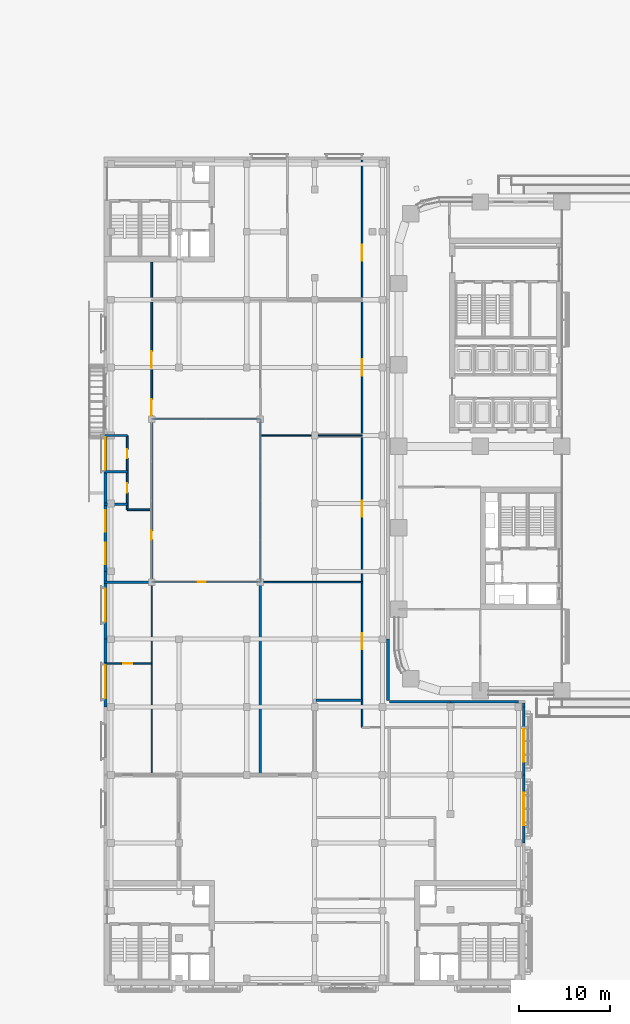
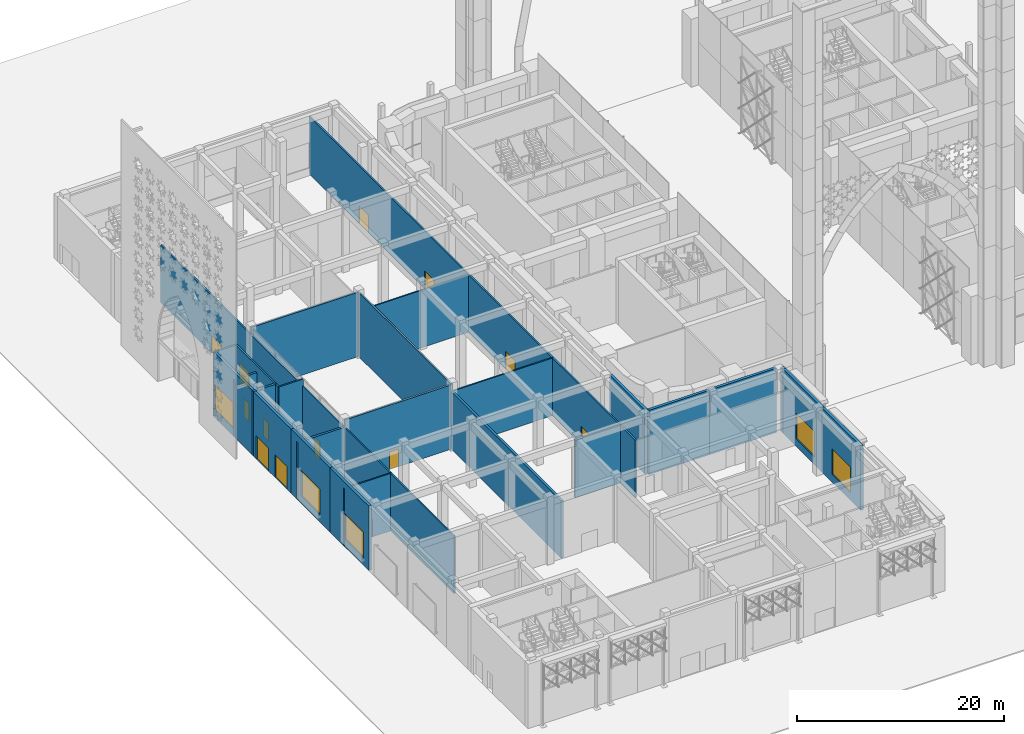
# One storey, part 30 of 64: 27 walls, 13 doors, 5 windows, 18 openings.
"""IFC4 building model written with IfcOpenShell, lengths in metres."""

import ifcopenshell
import ifcopenshell.guid

model = None  # the IFC model being written
_history = None  # IfcOwnerHistory: only IFC2X3 demands one
_inside = {}  # id of a spatial element -> (the spatial element, [elements in it])
_under = {}  # id of a project, library or spatial element -> (it, [spatial elements below it])
_declared = {}  # id of a project -> (the project, [libraries it declares])
_typed = {}  # id of a type object -> (the type object, [elements of that type])
_made_of = {}  # id of a material, layer set ... -> (it, [elements and type objects made of it])


def new_model(schema):
    """Start an empty IFC model of exactly this schema.

    Asked for "IFC4X3", IfcOpenShell would pick the latest addendum, in which some entities
    have other attributes; the version numbers below select the first issue.
    IFC2X3 requires an IfcOwnerHistory on every rooted entity: one is made here for all.
    """
    global model, _history
    if schema == "IFC4X3":
        model = ifcopenshell.file(schema_version=(4, 3, 0, 0))
    else:
        model = ifcopenshell.file(schema=schema)
    _inside.clear()
    _under.clear()
    _declared.clear()
    _typed.clear()
    _made_of.clear()
    _history = None
    if model.schema == "IFC2X3":
        org = make("IfcOrganization", Name="unknown")
        user = make(
            "IfcPersonAndOrganization",
            ThePerson=make("IfcPerson", FamilyName="unknown"),
            TheOrganization=org,
        )
        app = make(
            "IfcApplication",
            ApplicationDeveloper=org,
            Version="unknown",
            ApplicationFullName="unknown",
            ApplicationIdentifier="unknown",
        )
        _history = make(
            "IfcOwnerHistory",
            OwningUser=user,
            OwningApplication=app,
            ChangeAction="ADDED",
            CreationDate=0,
        )
    return model


def make(cls, **values):
    """One entity of the class cls with the attributes given. An attribute that is None is left unset."""
    return model.create_entity(
        cls, **{name: value for name, value in values.items() if value is not None}
    )


def rooted(cls, **values):
    """An entity with a GlobalId (a new one), such as an element, a storey or a relation."""
    return make(cls, GlobalId=ifcopenshell.guid.new(), OwnerHistory=_history, **values)


def si_unit(unit_type, name, prefix=None):
    """IfcSIUnit, for example si_unit("LENGTHUNIT", "METRE", prefix="MILLI")."""
    return make("IfcSIUnit", UnitType=unit_type, Prefix=prefix, Name=name)


def assignment(units):
    """IfcUnitAssignment: the units of a project."""
    return None if units is None else make("IfcUnitAssignment", Units=units)


def point(xyz):
    """IfcCartesianPoint."""
    return None if xyz is None else make("IfcCartesianPoint", Coordinates=xyz)


def direction(xyz):
    """IfcDirection."""
    return None if xyz is None else make("IfcDirection", DirectionRatios=xyz)


def frame(location, z_axis=None, x_axis=None):
    """IfcAxis2Placement3D, a coordinate frame: its origin and axes. An axis left out is left unset."""
    return make(
        "IfcAxis2Placement3D",
        Location=point(location),
        Axis=direction(z_axis),
        RefDirection=direction(x_axis),
    )


def frame_2d(location, x_axis=None):
    """IfcAxis2Placement2D, a coordinate frame in the plane: its origin and x axis."""
    return make(
        "IfcAxis2Placement2D", Location=point(location), RefDirection=direction(x_axis)
    )


def origin():
    """The frame at (0, 0, 0) with its axes left unset."""
    return frame((0.0, 0.0, 0.0))


def place(relative_to, where):
    """IfcLocalPlacement: puts the frame where relative to a parent placement (None: the world)."""
    return make(
        "IfcLocalPlacement", PlacementRelTo=relative_to, RelativePlacement=where
    )


def context(
    kind, dimensions, precision=None, world=None, true_north=None, identifier=None
):
    """IfcGeometricRepresentationContext, for example the 3D "Model" context."""
    return make(
        "IfcGeometricRepresentationContext",
        ContextIdentifier=identifier,
        ContextType=kind,
        CoordinateSpaceDimension=dimensions,
        Precision=precision,
        WorldCoordinateSystem=world,
        TrueNorth=true_north,
    )


def subcontext(parent, identifier, kind, view, scale=None):
    """IfcGeometricRepresentationSubContext, for example "Body" below "Model"."""
    return make(
        "IfcGeometricRepresentationSubContext",
        ContextIdentifier=identifier,
        ContextType=kind,
        ParentContext=parent,
        TargetScale=scale,
        TargetView=view,
    )


def project(units=None, contexts=None):
    """IfcProject with its units and contexts."""
    return rooted(
        "IfcProject",
        Name="project",
        RepresentationContexts=contexts,
        UnitsInContext=assignment(units),
    )


def spatial(cls, under=None, at=None, **own):
    """A site, building, storey or space (cls), placed at a placement, below another one or the project."""
    s = rooted(cls, ObjectPlacement=at, **own)
    if under is not None:
        _under.setdefault(under.id(), (under, []))[1].append(s)
    return s


def profile(cls, at=None, kind="AREA", **sizes):
    """A parametric profile (cls). Its sizes go by their IFC names, for example OverallWidth=200.0."""
    return make(cls, ProfileType=kind, Position=at, **sizes)


def rectangle(**sizes):
    """IfcRectangleProfileDef."""
    return profile("IfcRectangleProfileDef", **sizes)


def extrude(swept, where, along, depth):
    """IfcExtrudedAreaSolid: the profile swept, set in the frame where, extruded along a direction by depth."""
    return make(
        "IfcExtrudedAreaSolid",
        SweptArea=swept,
        Position=where,
        ExtrudedDirection=direction(along),
        Depth=depth,
    )


def shape(context_of_items, identifier, shape_type, items):
    """IfcShapeRepresentation: the items that make up one representation, for example the "Body"."""
    return make(
        "IfcShapeRepresentation",
        ContextOfItems=context_of_items,
        RepresentationIdentifier=identifier,
        RepresentationType=shape_type,
        Items=items,
    )


def material(Name=None, Category=None):
    """IfcMaterial."""
    return make("IfcMaterial", Name=Name, Category=Category)


def layer(
    of_material, thickness, ventilated=None, Name=None, Category=None, Priority=None
):
    """IfcMaterialLayer: one layer of a wall or slab, of a material (None: an air gap)."""
    return make(
        "IfcMaterialLayer",
        Material=of_material,
        LayerThickness=thickness,
        IsVentilated=ventilated,
        Name=Name,
        Category=Category,
        Priority=Priority,
    )


def layer_set(layers, Name=None):
    """IfcMaterialLayerSet."""
    return make("IfcMaterialLayerSet", MaterialLayers=layers, LayerSetName=Name)


def made_of(thing, what):
    """Note that an element or type object is made of a material, layer set ...; save() writes the relation."""
    if what is not None:
        _made_of.setdefault(what.id(), (what, []))[1].append(thing)
    return thing


def type_object(cls, material=None, **own):
    """A type object (cls), such as IfcWallType, which elements share."""
    return made_of(rooted(cls, **own), material)


def element(
    cls,
    number,
    at=None,
    inside=None,
    cuts=None,
    type_object=None,
    material=None,
    context=None,
    identifier="Body",
    shape_type=None,
    held_by="IfcProductDefinitionShape",
    body=None,
    shapes=None,
    **own,
):
    """One element of the class cls, such as IfcWall. Its Tag is "e" and its number.

    at: its placement. inside: the storey or other place that contains it. cuts: it is an
    opening in that element (IfcRelVoidsElement). A single representation is given by context,
    identifier, shape_type and body (its items); several are given by shapes. held_by: the class
    of the entity that holds the representations. save() writes the other relations.
    """
    e = rooted(cls, Tag="e%d" % number, ObjectPlacement=at, **own)
    if body is not None:
        shapes = [shape(context, identifier, shape_type, body)]
    if shapes is not None:
        e.Representation = make(held_by, Representations=shapes)
    if inside is not None:
        _inside.setdefault(inside.id(), (inside, []))[1].append(e)
    if cuts is not None:
        rooted(
            "IfcRelVoidsElement", RelatingBuildingElement=cuts, RelatedOpeningElement=e
        )
    if type_object is not None:
        _typed.setdefault(type_object.id(), (type_object, []))[1].append(e)
    return made_of(e, material)


def fill(opening, filler):
    """IfcRelFillsElement: the door or window that sits in an opening."""
    return rooted(
        "IfcRelFillsElement",
        RelatingOpeningElement=opening,
        RelatedBuildingElement=filler,
    )


def aggregate(whole, parts):
    """IfcRelAggregates: a whole, such as a stair, and the parts it consists of."""
    return rooted("IfcRelAggregates", RelatingObject=whole, RelatedObjects=parts)


def save(model, path):
    """Write the relations noted so far, then the file.

    IfcRelAggregates (storeys below a building ...), IfcRelContainedInSpatialStructure (elements
    in a storey), IfcRelDefinesByType, IfcRelAssociatesMaterial and IfcRelDeclares: one each for
    every whole, place, type object, material and project.
    """
    for whole, parts in _under.values():
        aggregate(whole, parts)
    for where, things in _inside.values():
        rooted(
            "IfcRelContainedInSpatialStructure",
            RelatedElements=things,
            RelatingStructure=where,
        )
    for kind, things in _typed.values():
        rooted("IfcRelDefinesByType", RelatedObjects=things, RelatingType=kind)
    for what, things in _made_of.values():
        rooted("IfcRelAssociatesMaterial", RelatedObjects=things, RelatingMaterial=what)
    for by, libraries in _declared.values():
        rooted("IfcRelDeclares", RelatingContext=by, RelatedDefinitions=libraries)
    model.write(path)


model = new_model("IFC4")

# Units and contexts
model_context = context("Model", 3, precision=1e-05, world=origin(), true_north=direction((0.0, 1.0)))
body_context = subcontext(model_context, "Body", "Model", "MODEL_VIEW")
ifc_project = project(units=[si_unit("LENGTHUNIT", "METRE"), si_unit("AREAUNIT", "SQUARE_METRE"), si_unit("VOLUMEUNIT", "CUBIC_METRE"), si_unit("PLANEANGLEUNIT", "RADIAN"), si_unit("MASSUNIT", "GRAM", prefix="KILO")], contexts=[model_context])

# Site, building, storey
site_placement = place(None, origin())
site = spatial("IfcSite", under=ifc_project, at=site_placement, CompositionType="ELEMENT")
building_placement = place(site_placement, origin())
building = spatial("IfcBuilding", under=site, at=building_placement, Name="Tessera Arch", CompositionType="ELEMENT")
storey_placement = place(building_placement, origin())
storey = spatial("IfcBuildingStorey", under=building, at=storey_placement, Name="L00", CompositionType="ELEMENT", Elevation=0.0)

# Wall, opening, door
ifc_material_1 = material(Name="Gypsum board on deep steel stud with mineral wool", Category="steel")
ifc_layer_1 = layer(ifc_material_1, 0.175048828125)
ifc_layer_set_1 = layer_set([ifc_layer_1], Name="Corridor wall 175 EI 60")
wall_type_1 = type_object("IfcWallType", Name="Corridor wall 175 EI 60", PredefinedType="PARTITIONING", material=ifc_layer_set_1)
wall_1_placement = place(storey_placement, frame((-27.300048828125, 12.0, 0.0), z_axis=(0.0, 0.0, 1.0), x_axis=(1.0, 0.0, 0.0)))
wall_1 = element("IfcWall", 1, at=wall_1_placement, inside=storey, type_object=wall_type_1, Name="L00 partition 5", PredefinedType="PARTITIONING", context=body_context, shape_type="SweptSolid", body=[
    extrude(rectangle(XDim=12.0, YDim=0.175048828125, at=frame_2d((6.0, 0.0))), origin(), (0.0, 0.0, 1.0), 7.590087890625),
])
opening_1_placement = place(wall_1_placement, frame((5.0, 0.0, 0.0)))
opening_1 = element("IfcOpeningElement", 2, at=opening_1_placement, cuts=wall_1, Name="Opening L00-D021", PredefinedType="OPENING", context=body_context, shape_type="SweptSolid", body=[
    extrude(rectangle(XDim=1.0, YDim=2.10009765625, at=frame_2d((0.5, 1.050048828125))), frame((0.0, 0.097412109375, 0.0), z_axis=(0.0, -1.0, 0.0), x_axis=(1.0, 0.0, 0.0)), (0.0, 0.0, 1.0), 0.195068359375),
])
ifc_material_2 = material(Name="Fire-rated door leaf")
door_type_1 = type_object("IfcDoorType", Name="Entrance door FD60 1000 x 2100", OperationType="SINGLE_SWING_LEFT", PredefinedType="DOOR", material=ifc_material_2)
door_1_placement = place(opening_1_placement, origin())
door_1 = element("IfcDoor", 3, at=door_1_placement, inside=storey, type_object=door_type_1, Name="L00 door D021 type D16", OperationType="SINGLE_SWING_LEFT", OverallHeight=2.10009765625, OverallWidth=1.0, PredefinedType="DOOR", context=body_context, shape_type="SweptSolid", body=[
    extrude(rectangle(XDim=1.0, YDim=2.10009765625, at=frame_2d((0.5, 1.050048828125))), frame((0.0, 0.02490234375, 0.0), z_axis=(0.0, -1.0, 0.0), x_axis=(1.0, 0.0, 0.0)), (0.0, 0.0, 1.0), 0.050048828125),
])
fill(opening_1, door_1)

# Walls
wall_2_placement = place(storey_placement, frame((-30.0, 20.0, 0.0), z_axis=(0.0, 0.0, 1.0), x_axis=(1.0, 0.0, 0.0)))
element("IfcWall", 4, at=wall_2_placement, inside=storey, type_object=wall_type_1, Name="L00 partition 6", PredefinedType="PARTITIONING", context=body_context, shape_type="SweptSolid", body=[
    extrude(rectangle(XDim=2.699951171875, YDim=0.175048828125, at=frame_2d((1.35009765625, 0.0))), origin(), (0.0, 0.0, 1.0), 7.590087890625),
])
wall_3_placement = place(storey_placement, frame((-32.550048828125, 28.199951171875, 0.0), z_axis=(0.0, 0.0, 1.0), x_axis=(1.0, 0.0, 0.0)))
element("IfcWall", 5, at=wall_3_placement, inside=storey, type_object=wall_type_1, Name="L00 partition 8", PredefinedType="PARTITIONING", context=body_context, shape_type="SweptSolid", body=[
    extrude(rectangle(XDim=2.550048828125, YDim=0.175048828125, at=frame_2d((1.27490234375, 0.0))), origin(), (0.0, 0.0, 1.0), 7.590087890625),
])
wall_4_placement = place(storey_placement, frame((-27.300048828125, 30.0, 0.0), z_axis=(0.0, 0.0, 1.0), x_axis=(1.0, 0.0, 0.0)))
element("IfcWall", 6, at=wall_4_placement, inside=storey, type_object=wall_type_1, Name="L00 partition 9", PredefinedType="PARTITIONING", context=body_context, shape_type="SweptSolid", body=[
    extrude(rectangle(XDim=12.0, YDim=0.175048828125, at=frame_2d((6.0, 0.0))), origin(), (0.0, 0.0, 1.0), 7.590087890625),
])

# Wall, openings, doors
wall_5_placement = place(storey_placement, frame((-30.0, 20.0, 0.0), z_axis=(0.0, 0.0, 1.0), x_axis=(0.0, 1.0, 0.0)))
wall_5 = element("IfcWall", 7, at=wall_5_placement, inside=storey, type_object=wall_type_1, Name="L00 partition 14", PredefinedType="PARTITIONING", context=body_context, shape_type="SweptSolid", body=[
    extrude(rectangle(XDim=8.199951171875, YDim=0.175048828125, at=frame_2d((4.10009765625, 0.0))), origin(), (0.0, 0.0, 1.0), 7.590087890625),
])
opening_2_placement = place(wall_5_placement, frame((1.89990234375, 0.0, 0.0)))
opening_2 = element("IfcOpeningElement", 8, at=opening_2_placement, cuts=wall_5, Name="Opening L00-D024", PredefinedType="OPENING", context=body_context, shape_type="SweptSolid", body=[
    extrude(rectangle(XDim=1.0, YDim=2.10009765625, at=frame_2d((0.5, 1.050048828125))), frame((0.0, 0.097412109375, 0.0), z_axis=(0.0, -1.0, 0.0), x_axis=(1.0, 0.0, 0.0)), (0.0, 0.0, 1.0), 0.195068359375),
])
opening_3_placement = place(wall_5_placement, frame((5.699951171875, 0.0, 0.0)))
opening_3 = element("IfcOpeningElement", 9, at=opening_3_placement, cuts=wall_5, Name="Opening L00-D025", PredefinedType="OPENING", context=body_context, shape_type="SweptSolid", body=[
    extrude(rectangle(XDim=1.0, YDim=2.10009765625, at=frame_2d((0.5, 1.050048828125))), frame((0.0, 0.097412109375, 0.0), z_axis=(0.0, -1.0, 0.0), x_axis=(1.0, 0.0, 0.0)), (0.0, 0.0, 1.0), 0.195068359375),
])
ifc_material_3 = material(Name="Fire-rated door leaf")
door_type_2 = type_object("IfcDoorType", Name="Entrance door FD30S 1000 x 2100", OperationType="SINGLE_SWING_LEFT", PredefinedType="DOOR", material=ifc_material_3)
door_2_placement = place(opening_2_placement, origin())
door_2 = element("IfcDoor", 10, at=door_2_placement, inside=storey, type_object=door_type_2, Name="L00 door D024 type D03", OperationType="SINGLE_SWING_RIGHT", OverallHeight=2.10009765625, OverallWidth=1.0, PredefinedType="DOOR", context=body_context, shape_type="SweptSolid", body=[
    extrude(rectangle(XDim=1.0, YDim=2.10009765625, at=frame_2d((0.5, 1.050048828125))), frame((0.0, 0.02490234375, 0.0), z_axis=(0.0, -1.0, 0.0), x_axis=(1.0, 0.0, 0.0)), (0.0, 0.0, 1.0), 0.050048828125),
])
fill(opening_2, door_2)
door_3_placement = place(opening_3_placement, origin())
door_3 = element("IfcDoor", 11, at=door_3_placement, inside=storey, type_object=door_type_2, Name="L00 door D025 type D03", OperationType="SINGLE_SWING_RIGHT", OverallHeight=2.10009765625, OverallWidth=1.0, PredefinedType="DOOR", context=body_context, shape_type="SweptSolid", body=[
    extrude(rectangle(XDim=1.0, YDim=2.10009765625, at=frame_2d((0.5, 1.050048828125))), frame((0.0, 0.02490234375, 0.0), z_axis=(0.0, -1.0, 0.0), x_axis=(1.0, 0.0, 0.0)), (0.0, 0.0, 1.0), 0.050048828125),
])
fill(opening_3, door_3)

wall_6_placement = place(storey_placement, frame((-27.300048828125, 12.0, 0.0), z_axis=(0.0, 0.0, 1.0), x_axis=(0.0, 1.0, 0.0)))
wall_6 = element("IfcWall", 12, at=wall_6_placement, inside=storey, type_object=wall_type_1, Name="L00 partition 15", PredefinedType="PARTITIONING", context=body_context, shape_type="SweptSolid", body=[
    extrude(rectangle(XDim=35.35009765625, YDim=0.175048828125, at=frame_2d((17.675048828125, 0.0))), origin(), (0.0, 0.0, 1.0), 6.7900390625),
])
opening_4_placement = place(wall_6_placement, frame((18.39990234375, 0.0, 0.0)))
opening_4 = element("IfcOpeningElement", 13, at=opening_4_placement, cuts=wall_6, Name="Opening L00-D003", PredefinedType="OPENING", context=body_context, shape_type="SweptSolid", body=[
    extrude(rectangle(XDim=1.800048828125, YDim=2.10009765625, at=frame_2d((0.89990234375, 1.050048828125))), frame((0.0, 0.097412109375, 0.0), z_axis=(0.0, -1.0, 0.0), x_axis=(1.0, 0.0, 0.0)), (0.0, 0.0, 1.0), 0.195068359375),
])
opening_5_placement = place(wall_6_placement, frame((23.699951171875, 0.0, 0.0)))
opening_5 = element("IfcOpeningElement", 14, at=opening_5_placement, cuts=wall_6, Name="Opening L00-D009", PredefinedType="OPENING", context=body_context, shape_type="SweptSolid", body=[
    extrude(rectangle(XDim=1.800048828125, YDim=2.10009765625, at=frame_2d((0.89990234375, 1.050048828125))), frame((0.0, 0.097412109375, 0.0), z_axis=(0.0, -1.0, 0.0), x_axis=(1.0, 0.0, 0.0)), (0.0, 0.0, 1.0), 0.195068359375),
])
opening_6_placement = place(wall_6_placement, frame((4.6875, 0.0, 0.0)))
opening_6 = element("IfcOpeningElement", 15, at=opening_6_placement, cuts=wall_6, Name="Opening L00-D023", PredefinedType="OPENING", context=body_context, shape_type="SweptSolid", body=[
    extrude(rectangle(XDim=1.0, YDim=2.10009765625, at=frame_2d((0.5, 1.050048828125))), frame((0.0, 0.097412109375, 0.0), z_axis=(0.0, -1.0, 0.0), x_axis=(1.0, 0.0, 0.0)), (0.0, 0.0, 1.0), 0.195068359375),
])
ifc_material_4 = material(Name="Timber door leaf", Category="wood")
door_type_3 = type_object("IfcDoorType", Name="Double door 1800 x 2100", OperationType="DOUBLE_DOOR_SINGLE_SWING", PredefinedType="DOOR", material=ifc_material_4)
door_4_placement = place(opening_4_placement, origin())
door_4 = element("IfcDoor", 16, at=door_4_placement, inside=storey, type_object=door_type_3, Name="L00 door D003 type D13", OperationType="DOUBLE_DOOR_SINGLE_SWING", OverallHeight=2.10009765625, OverallWidth=1.800048828125, PredefinedType="DOOR", context=body_context, shape_type="SweptSolid", body=[
    extrude(rectangle(XDim=1.800048828125, YDim=2.10009765625, at=frame_2d((0.89990234375, 1.050048828125))), frame((0.0, 0.02490234375, 0.0), z_axis=(0.0, -1.0, 0.0), x_axis=(1.0, 0.0, 0.0)), (0.0, 0.0, 1.0), 0.050048828125),
])
fill(opening_4, door_4)
door_5_placement = place(opening_5_placement, origin())
door_5 = element("IfcDoor", 17, at=door_5_placement, inside=storey, type_object=door_type_3, Name="L00 door D009 type D13", OperationType="DOUBLE_DOOR_SINGLE_SWING", OverallHeight=2.10009765625, OverallWidth=1.800048828125, PredefinedType="DOOR", context=body_context, shape_type="SweptSolid", body=[
    extrude(rectangle(XDim=1.800048828125, YDim=2.10009765625, at=frame_2d((0.89990234375, 1.050048828125))), frame((0.0, 0.02490234375, 0.0), z_axis=(0.0, -1.0, 0.0), x_axis=(1.0, 0.0, 0.0)), (0.0, 0.0, 1.0), 0.050048828125),
])
fill(opening_5, door_5)
door_6_placement = place(opening_6_placement, origin())
door_6 = element("IfcDoor", 18, at=door_6_placement, inside=storey, type_object=door_type_2, Name="L00 door D023 type D03", OperationType="SINGLE_SWING_RIGHT", OverallHeight=2.10009765625, OverallWidth=1.0, PredefinedType="DOOR", context=body_context, shape_type="SweptSolid", body=[
    extrude(rectangle(XDim=1.0, YDim=2.10009765625, at=frame_2d((0.5, 1.050048828125))), frame((0.0, 0.02490234375, 0.0), z_axis=(0.0, -1.0, 0.0), x_axis=(1.0, 0.0, 0.0)), (0.0, 0.0, 1.0), 0.050048828125),
])
fill(opening_6, door_6)

# Wall
wall_7_placement = place(storey_placement, frame((-15.300048828125, 12.0, 0.0), z_axis=(0.0, 0.0, 1.0), x_axis=(0.0, 1.0, 0.0)))
element("IfcWall", 19, at=wall_7_placement, inside=storey, type_object=wall_type_1, Name="L00 partition 17", PredefinedType="PARTITIONING", context=body_context, shape_type="SweptSolid", body=[
    extrude(rectangle(XDim=18.0, YDim=0.175048828125, at=frame_2d((9.0, 0.0))), origin(), (0.0, 0.0, 1.0), 7.590087890625),
])

# Wall, openings, doors
wall_8_placement = place(storey_placement, frame((-4.050048828125, -4.050048828125, 0.0), z_axis=(0.0, 0.0, 1.0), x_axis=(0.0, 1.0, 0.0)))
wall_8 = element("IfcWall", 20, at=wall_8_placement, inside=storey, type_object=wall_type_1, Name="L00 partition 20", PredefinedType="PARTITIONING", context=body_context, shape_type="SweptSolid", body=[
    extrude(rectangle(XDim=63.0, YDim=0.175048828125, at=frame_2d((31.5, 0.0))), origin(), (0.0, 0.0, 1.0), 6.7900390625),
])
opening_7_placement = place(wall_8_placement, frame((51.534912109375, 0.0, 0.0)))
opening_7 = element("IfcOpeningElement", 21, at=opening_7_placement, cuts=wall_8, Name="Opening L00-D001", PredefinedType="OPENING", context=body_context, shape_type="SweptSolid", body=[
    extrude(rectangle(XDim=1.800048828125, YDim=2.10009765625, at=frame_2d((0.89990234375, 1.050048828125))), frame((0.0, 0.097412109375, 0.0), z_axis=(0.0, -1.0, 0.0), x_axis=(1.0, 0.0, 0.0)), (0.0, 0.0, 1.0), 0.195068359375),
])
opening_8_placement = place(wall_8_placement, frame((23.25, 0.0, 0.0)))
opening_8 = element("IfcOpeningElement", 22, at=opening_8_placement, cuts=wall_8, Name="Opening L00-D005", PredefinedType="OPENING", context=body_context, shape_type="SweptSolid", body=[
    extrude(rectangle(XDim=1.800048828125, YDim=2.10009765625, at=frame_2d((0.89990234375, 1.050048828125))), frame((0.0, 0.097412109375, 0.0), z_axis=(0.0, -1.0, 0.0), x_axis=(1.0, 0.0, 0.0)), (0.0, 0.0, 1.0), 0.195068359375),
])
opening_9_placement = place(wall_8_placement, frame((38.85009765625, 0.0, 0.0)))
opening_9 = element("IfcOpeningElement", 23, at=opening_9_placement, cuts=wall_8, Name="Opening L00-D007", PredefinedType="OPENING", context=body_context, shape_type="SweptSolid", body=[
    extrude(rectangle(XDim=1.800048828125, YDim=2.10009765625, at=frame_2d((0.89990234375, 1.050048828125))), frame((0.0, 0.097412109375, 0.0), z_axis=(0.0, -1.0, 0.0), x_axis=(1.0, 0.0, 0.0)), (0.0, 0.0, 1.0), 0.195068359375),
])
opening_10_placement = place(wall_8_placement, frame((8.625, 0.0, 0.0)))
opening_10 = element("IfcOpeningElement", 24, at=opening_10_placement, cuts=wall_8, Name="Opening L00-D010", PredefinedType="OPENING", context=body_context, shape_type="SweptSolid", body=[
    extrude(rectangle(XDim=1.800048828125, YDim=2.10009765625, at=frame_2d((0.89990234375, 1.050048828125))), frame((0.0, 0.097412109375, 0.0), z_axis=(0.0, -1.0, 0.0), x_axis=(1.0, 0.0, 0.0)), (0.0, 0.0, 1.0), 0.195068359375),
])
door_7_placement = place(opening_7_placement, origin())
door_7 = element("IfcDoor", 25, at=door_7_placement, inside=storey, type_object=door_type_3, Name="L00 door D001 type D13", OperationType="DOUBLE_DOOR_SINGLE_SWING", OverallHeight=2.10009765625, OverallWidth=1.800048828125, PredefinedType="DOOR", context=body_context, shape_type="SweptSolid", body=[
    extrude(rectangle(XDim=1.800048828125, YDim=2.10009765625, at=frame_2d((0.89990234375, 1.050048828125))), frame((0.0, 0.02490234375, 0.0), z_axis=(0.0, -1.0, 0.0), x_axis=(1.0, 0.0, 0.0)), (0.0, 0.0, 1.0), 0.050048828125),
])
fill(opening_7, door_7)
door_8_placement = place(opening_8_placement, origin())
door_8 = element("IfcDoor", 26, at=door_8_placement, inside=storey, type_object=door_type_3, Name="L00 door D005 type D13", OperationType="DOUBLE_DOOR_SINGLE_SWING", OverallHeight=2.10009765625, OverallWidth=1.800048828125, PredefinedType="DOOR", context=body_context, shape_type="SweptSolid", body=[
    extrude(rectangle(XDim=1.800048828125, YDim=2.10009765625, at=frame_2d((0.89990234375, 1.050048828125))), frame((0.0, 0.02490234375, 0.0), z_axis=(0.0, -1.0, 0.0), x_axis=(1.0, 0.0, 0.0)), (0.0, 0.0, 1.0), 0.050048828125),
])
fill(opening_8, door_8)
door_9_placement = place(opening_9_placement, origin())
door_9 = element("IfcDoor", 27, at=door_9_placement, inside=storey, type_object=door_type_3, Name="L00 door D007 type D13", OperationType="DOUBLE_DOOR_SINGLE_SWING", OverallHeight=2.10009765625, OverallWidth=1.800048828125, PredefinedType="DOOR", context=body_context, shape_type="SweptSolid", body=[
    extrude(rectangle(XDim=1.800048828125, YDim=2.10009765625, at=frame_2d((0.89990234375, 1.050048828125))), frame((0.0, 0.02490234375, 0.0), z_axis=(0.0, -1.0, 0.0), x_axis=(1.0, 0.0, 0.0)), (0.0, 0.0, 1.0), 0.050048828125),
])
fill(opening_9, door_9)
door_10_placement = place(opening_10_placement, origin())
door_10 = element("IfcDoor", 28, at=door_10_placement, inside=storey, type_object=door_type_3, Name="L00 door D010 type D13", OperationType="DOUBLE_DOOR_SINGLE_SWING", OverallHeight=2.10009765625, OverallWidth=1.800048828125, PredefinedType="DOOR", context=body_context, shape_type="SweptSolid", body=[
    extrude(rectangle(XDim=1.800048828125, YDim=2.10009765625, at=frame_2d((0.89990234375, 1.050048828125))), frame((0.0, 0.02490234375, 0.0), z_axis=(0.0, -1.0, 0.0), x_axis=(1.0, 0.0, 0.0)), (0.0, 0.0, 1.0), 0.050048828125),
])
fill(opening_10, door_10)

# Wall, opening, window
ifc_material_5 = material(Name="Aluminium cladding pale metal anodised", Category="aluminium")
ifc_layer_2 = layer(ifc_material_5, 0.300048828125)
ifc_layer_set_2 = layer_set([ifc_layer_2], Name="Museum envelope wall pale metal")
wall_type_2 = type_object("IfcWallType", Name="Museum envelope wall pale metal", PredefinedType="SOLIDWALL", material=ifc_layer_set_2)
wall_9_placement = place(storey_placement, frame((13.800048828125, -16.800048828125, 0.0), z_axis=(0.0, 0.0, 1.0), x_axis=(0.0, 1.0, 0.0)))
wall_9 = element("IfcWall", 29, at=wall_9_placement, inside=storey, type_object=wall_type_2, Name="Museum external wall pale metal mashrabiya pattern", PredefinedType="SOLIDWALL", context=body_context, shape_type="SweptSolid", body=[
    extrude(rectangle(XDim=7.5, YDim=0.300048828125, at=frame_2d((3.75, 0.0))), origin(), (0.0, 0.0, 1.0), 7.590087890625),
])
opening_11_placement = place(wall_9_placement, frame((1.949951171875, 0.0, 0.89990234375)))
opening_11 = element("IfcOpeningElement", 30, at=opening_11_placement, cuts=wall_9, Name="Opening L00-MV02", PredefinedType="OPENING", context=body_context, shape_type="SweptSolid", body=[
    extrude(rectangle(XDim=3.60009765625, YDim=3.0, at=frame_2d((1.800048828125, 1.5))), frame((0.0, 0.159912109375, 0.0), z_axis=(0.0, -1.0, 0.0), x_axis=(1.0, 0.0, 0.0)), (0.0, 0.0, 1.0), 0.320068359375),
])
ifc_material_6 = material(Name="Clear low-e glass in aluminium frame", Category="aluminium")
window_type = type_object("IfcWindowType", Name="Museum window fixed clear glass", PartitioningType="SINGLE_PANEL", PredefinedType="WINDOW", material=ifc_material_6)
window_1_placement = place(opening_11_placement, origin())
window_1 = element("IfcWindow", 31, at=window_1_placement, inside=storey, type_object=window_type, Name="Museum window L00 2-4", OverallHeight=3.0, OverallWidth=3.60009765625, PartitioningType="SINGLE_PANEL", PredefinedType="WINDOW", context=body_context, shape_type="SweptSolid", body=[
    extrude(rectangle(XDim=3.60009765625, YDim=3.0, at=frame_2d((1.800048828125, 1.5))), frame((0.0, 0.030029296875, 0.0), z_axis=(0.0, -1.0, 0.0), x_axis=(1.0, 0.0, 0.0)), (0.0, 0.0, 1.0), 0.06005859375),
])
fill(opening_11, window_1)

wall_10_placement = place(storey_placement, frame((13.800048828125, -9.300048828125, 0.0), z_axis=(0.0, 0.0, 1.0), x_axis=(0.0, 1.0, 0.0)))
wall_10 = element("IfcWall", 32, at=wall_10_placement, inside=storey, type_object=wall_type_2, Name="Museum external wall pale metal mashrabiya pattern", PredefinedType="SOLIDWALL", context=body_context, shape_type="SweptSolid", body=[
    extrude(rectangle(XDim=7.5, YDim=0.300048828125, at=frame_2d((3.75, 0.0))), origin(), (0.0, 0.0, 1.0), 7.590087890625),
])
opening_12_placement = place(wall_10_placement, frame((1.449951171875, 0.0, 0.89990234375)))
opening_12 = element("IfcOpeningElement", 33, at=opening_12_placement, cuts=wall_10, Name="Opening L00-MV03", PredefinedType="OPENING", context=body_context, shape_type="SweptSolid", body=[
    extrude(rectangle(XDim=3.60009765625, YDim=3.0, at=frame_2d((1.800048828125, 1.5))), frame((0.0, 0.159912109375, 0.0), z_axis=(0.0, -1.0, 0.0), x_axis=(1.0, 0.0, 0.0)), (0.0, 0.0, 1.0), 0.320068359375),
])
window_2_placement = place(opening_12_placement, origin())
window_2 = element("IfcWindow", 34, at=window_2_placement, inside=storey, type_object=window_type, Name="Museum window L00 2-5", OverallHeight=3.0, OverallWidth=3.60009765625, PartitioningType="SINGLE_PANEL", PredefinedType="WINDOW", context=body_context, shape_type="SweptSolid", body=[
    extrude(rectangle(XDim=3.60009765625, YDim=3.0, at=frame_2d((1.800048828125, 1.5))), frame((0.0, 0.030029296875, 0.0), z_axis=(0.0, -1.0, 0.0), x_axis=(1.0, 0.0, 0.0)), (0.0, 0.0, 1.0), 0.06005859375),
])
fill(opening_12, window_2)

# Wall
wall_11_placement = place(storey_placement, frame((13.800048828125, -1.800048828125, 0.0), z_axis=(0.0, 0.0, 1.0), x_axis=(0.0, 1.0, 0.0)))
element("IfcWall", 35, at=wall_11_placement, inside=storey, type_object=wall_type_2, Name="Museum external wall pale metal mashrabiya pattern", PredefinedType="SOLIDWALL", context=body_context, shape_type="SweptSolid", body=[
    extrude(rectangle(XDim=0.449951171875, YDim=0.300048828125, at=frame_2d((0.22509765625, 0.0))), origin(), (0.0, 0.0, 1.0), 7.590087890625),
])

# Wall, opening, window
wall_12_placement = place(storey_placement, frame((-32.39990234375, 28.199951171875, 0.0), z_axis=(0.0, 0.0, 1.0), x_axis=(0.0, -1.0, 0.0)))
wall_12 = element("IfcWall", 36, at=wall_12_placement, inside=storey, type_object=wall_type_2, Name="Museum external wall pale metal mashrabiya pattern", PredefinedType="SOLIDWALL", context=body_context, shape_type="SweptSolid", body=[
    extrude(rectangle(XDim=7.5, YDim=0.300048828125, at=frame_2d((3.75, 0.0))), origin(), (0.0, 0.0, 1.0), 7.590087890625),
])
opening_13_placement = place(wall_12_placement, frame((0.199951171875, 0.0, 0.89990234375)))
opening_13 = element("IfcOpeningElement", 37, at=opening_13_placement, cuts=wall_12, Name="Opening L00-MV07", PredefinedType="OPENING", context=body_context, shape_type="SweptSolid", body=[
    extrude(rectangle(XDim=3.60009765625, YDim=3.0, at=frame_2d((1.800048828125, 1.5))), frame((0.0, 0.159912109375, 0.0), z_axis=(0.0, -1.0, 0.0), x_axis=(1.0, 0.0, 0.0)), (0.0, 0.0, 1.0), 0.320068359375),
])
window_3_placement = place(opening_13_placement, origin())
window_3 = element("IfcWindow", 38, at=window_3_placement, inside=storey, type_object=window_type, Name="Museum window L00 6-6", OverallHeight=3.0, OverallWidth=3.60009765625, PartitioningType="SINGLE_PANEL", PredefinedType="WINDOW", context=body_context, shape_type="SweptSolid", body=[
    extrude(rectangle(XDim=3.60009765625, YDim=3.0, at=frame_2d((1.800048828125, 1.5))), frame((0.0, 0.030029296875, 0.0), z_axis=(0.0, -1.0, 0.0), x_axis=(1.0, 0.0, 0.0)), (0.0, 0.0, 1.0), 0.06005859375),
])
fill(opening_13, window_3)

# Wall, openings, doors
wall_13_placement = place(storey_placement, frame((-32.39990234375, 20.699951171875, 0.0), z_axis=(0.0, 0.0, 1.0), x_axis=(0.0, -1.0, 0.0)))
wall_13 = element("IfcWall", 39, at=wall_13_placement, inside=storey, type_object=wall_type_2, Name="Museum external wall pale metal mashrabiya pattern", PredefinedType="SOLIDWALL", context=body_context, shape_type="SweptSolid", body=[
    extrude(rectangle(XDim=7.5, YDim=0.300048828125, at=frame_2d((3.75, 0.0))), origin(), (0.0, 0.0, 1.0), 7.590087890625),
])
opening_14_placement = place(wall_13_placement, frame((4.35009765625, 0.0, 0.0)))
opening_14 = element("IfcOpeningElement", 40, at=opening_14_placement, cuts=wall_13, Name="Opening L00-M06", PredefinedType="OPENING", context=body_context, shape_type="SweptSolid", body=[
    extrude(rectangle(XDim=2.39990234375, YDim=2.699951171875, at=frame_2d((1.199951171875, 1.35009765625))), frame((0.0, 0.159912109375, 0.0), z_axis=(0.0, -1.0, 0.0), x_axis=(1.0, 0.0, 0.0)), (0.0, 0.0, 1.0), 0.320068359375),
])
opening_15_placement = place(wall_13_placement, frame((0.75, 0.0, 0.0)))
opening_15 = element("IfcOpeningElement", 41, at=opening_15_placement, cuts=wall_13, Name="Opening L00-M07", PredefinedType="OPENING", context=body_context, shape_type="SweptSolid", body=[
    extrude(rectangle(XDim=2.39990234375, YDim=2.699951171875, at=frame_2d((1.199951171875, 1.35009765625))), frame((0.0, 0.159912109375, 0.0), z_axis=(0.0, -1.0, 0.0), x_axis=(1.0, 0.0, 0.0)), (0.0, 0.0, 1.0), 0.320068359375),
])
ifc_material_7 = material(Name="Aluminium frame and clear glass", Category="aluminium")
door_type_4 = type_object("IfcDoorType", Name="Museum service door double leaf", OperationType="DOUBLE_DOOR_SINGLE_SWING", PredefinedType="DOOR", material=ifc_material_7)
door_11_placement = place(opening_14_placement, origin())
door_11 = element("IfcDoor", 42, at=door_11_placement, inside=storey, type_object=door_type_4, Name="Museum door MX-W-DOCK-1 M06", OperationType="DOUBLE_DOOR_SINGLE_SWING", OverallHeight=2.699951171875, OverallWidth=2.39990234375, PredefinedType="DOOR", context=body_context, shape_type="SweptSolid", body=[
    extrude(rectangle(XDim=2.39990234375, YDim=2.699951171875, at=frame_2d((1.199951171875, 1.35009765625))), frame((0.0, 0.02490234375, 0.0), z_axis=(0.0, -1.0, 0.0), x_axis=(1.0, 0.0, 0.0)), (0.0, 0.0, 1.0), 0.050048828125),
])
fill(opening_14, door_11)
door_12_placement = place(opening_15_placement, origin())
door_12 = element("IfcDoor", 43, at=door_12_placement, inside=storey, type_object=door_type_4, Name="Museum door MX-W-DOCK-2 M07", OperationType="DOUBLE_DOOR_SINGLE_SWING", OverallHeight=2.699951171875, OverallWidth=2.39990234375, PredefinedType="DOOR", context=body_context, shape_type="SweptSolid", body=[
    extrude(rectangle(XDim=2.39990234375, YDim=2.699951171875, at=frame_2d((1.199951171875, 1.35009765625))), frame((0.0, 0.02490234375, 0.0), z_axis=(0.0, -1.0, 0.0), x_axis=(1.0, 0.0, 0.0)), (0.0, 0.0, 1.0), 0.050048828125),
])
fill(opening_15, door_12)

# Wall, opening, window
wall_14_placement = place(storey_placement, frame((-32.39990234375, 13.199951171875, 0.0), z_axis=(0.0, 0.0, 1.0), x_axis=(0.0, -1.0, 0.0)))
wall_14 = element("IfcWall", 44, at=wall_14_placement, inside=storey, type_object=wall_type_2, Name="Museum external wall pale metal mashrabiya pattern", PredefinedType="SOLIDWALL", context=body_context, shape_type="SweptSolid", body=[
    extrude(rectangle(XDim=7.5, YDim=0.300048828125, at=frame_2d((3.75, 0.0))), origin(), (0.0, 0.0, 1.0), 7.590087890625),
])
opening_16_placement = place(wall_14_placement, frame((1.949951171875, 0.0, 0.89990234375)))
opening_16 = element("IfcOpeningElement", 45, at=opening_16_placement, cuts=wall_14, Name="Opening L00-MV08", PredefinedType="OPENING", context=body_context, shape_type="SweptSolid", body=[
    extrude(rectangle(XDim=3.60009765625, YDim=3.0, at=frame_2d((1.800048828125, 1.5))), frame((0.0, 0.159912109375, 0.0), z_axis=(0.0, -1.0, 0.0), x_axis=(1.0, 0.0, 0.0)), (0.0, 0.0, 1.0), 0.320068359375),
])
window_4_placement = place(opening_16_placement, origin())
window_4 = element("IfcWindow", 46, at=window_4_placement, inside=storey, type_object=window_type, Name="Museum window L00 6-8", OverallHeight=3.0, OverallWidth=3.60009765625, PartitioningType="SINGLE_PANEL", PredefinedType="WINDOW", context=body_context, shape_type="SweptSolid", body=[
    extrude(rectangle(XDim=3.60009765625, YDim=3.0, at=frame_2d((1.800048828125, 1.5))), frame((0.0, 0.030029296875, 0.0), z_axis=(0.0, -1.0, 0.0), x_axis=(1.0, 0.0, 0.0)), (0.0, 0.0, 1.0), 0.06005859375),
])
fill(opening_16, window_4)

wall_15_placement = place(storey_placement, frame((-32.39990234375, 5.699951171875, 0.0), z_axis=(0.0, 0.0, 1.0), x_axis=(0.0, -1.0, 0.0)))
wall_15 = element("IfcWall", 47, at=wall_15_placement, inside=storey, type_object=wall_type_2, Name="Museum external wall pale metal mashrabiya pattern", PredefinedType="SOLIDWALL", context=body_context, shape_type="SweptSolid", body=[
    extrude(rectangle(XDim=7.5, YDim=0.300048828125, at=frame_2d((3.75, 0.0))), origin(), (0.0, 0.0, 1.0), 7.590087890625),
])
opening_17_placement = place(wall_15_placement, frame((2.89990234375, 0.0, 0.89990234375)))
opening_17 = element("IfcOpeningElement", 48, at=opening_17_placement, cuts=wall_15, Name="Opening L00-MV09", PredefinedType="OPENING", context=body_context, shape_type="SweptSolid", body=[
    extrude(rectangle(XDim=3.60009765625, YDim=3.0, at=frame_2d((1.800048828125, 1.5))), frame((0.0, 0.159912109375, 0.0), z_axis=(0.0, -1.0, 0.0), x_axis=(1.0, 0.0, 0.0)), (0.0, 0.0, 1.0), 0.320068359375),
])
window_5_placement = place(opening_17_placement, origin())
window_5 = element("IfcWindow", 49, at=window_5_placement, inside=storey, type_object=window_type, Name="Museum window L00 6-9", OverallHeight=3.0, OverallWidth=3.60009765625, PartitioningType="SINGLE_PANEL", PredefinedType="WINDOW", context=body_context, shape_type="SweptSolid", body=[
    extrude(rectangle(XDim=3.60009765625, YDim=3.0, at=frame_2d((1.800048828125, 1.5))), frame((0.0, 0.030029296875, 0.0), z_axis=(0.0, -1.0, 0.0), x_axis=(1.0, 0.0, 0.0)), (0.0, 0.0, 1.0), 0.06005859375),
])
fill(opening_17, window_5)

# Walls
ifc_material_8 = material(Name="Concrete C40/50", Category="concrete")
ifc_layer_3 = layer(ifc_material_8, 0.300048828125)
ifc_layer_set_3 = layer_set([ifc_layer_3], Name="Museum fire wall")
wall_type_3 = type_object("IfcWallType", Name="Museum fire wall", PredefinedType="SOLIDWALL", material=ifc_layer_set_3)
wall_16_placement = place(storey_placement, frame((13.199951171875, -1.199951171875, 0.0), z_axis=(0.0, 0.0, 1.0), x_axis=(-1.0, 0.0, 0.0)))
element("IfcWall", 50, at=wall_16_placement, inside=storey, type_object=wall_type_3, Name="Museum fire wall at the movement joint", PredefinedType="SOLIDWALL", context=body_context, shape_type="SweptSolid", body=[
    extrude(rectangle(XDim=7.5, YDim=0.300048828125, at=frame_2d((3.75, 0.0))), origin(), (0.0, 0.0, 1.0), 7.590087890625),
])
for number, where, z_axis, x_axis, name in (
    (51, (5.699951171875, -1.199951171875, 0.0), (0.0, 0.0, 1.0), (-1.0, 0.0, 0.0), "Museum fire wall at the movement joint"),
    (52, (-1.199951171875, -1.050048828125, 0.0), (0.0, 0.0, 1.0), (0.0, 1.0, 0.0), "Museum fire wall at the movement joint"),
):
    element("IfcWall", number, at=place(storey_placement, frame(where, z_axis=z_axis, x_axis=x_axis)), inside=storey, type_object=wall_type_3, Name=name, PredefinedType="SOLIDWALL", context=body_context, shape_type="SweptSolid", body=[
        extrude(rectangle(XDim=6.75, YDim=0.300048828125, at=frame_2d((3.375, 0.0))), origin(), (0.0, 0.0, 1.0), 7.590087890625),
    ])
ifc_material_9 = material(Name="Gypsum board on steel stud", Category="steel")
ifc_layer_4 = layer(ifc_material_9, 0.14990234375)
ifc_layer_set_4 = layer_set([ifc_layer_4], Name="Partition 150")
wall_type_4 = type_object("IfcWallType", Name="Partition 150", PredefinedType="PARTITIONING", material=ifc_layer_set_4)
for number, where, z_axis, x_axis, name in (
    (53, (-15.300048828125, 12.0, 0.0), (0.0, 0.0, 1.0), (1.0, 0.0, 0.0), "L00 partition 25"),
    (54, (-15.300048828125, 28.199951171875, 0.0), (0.0, 0.0, 1.0), (1.0, 0.0, 0.0), "L00 partition 26"),
):
    element("IfcWall", number, at=place(storey_placement, frame(where, z_axis=z_axis, x_axis=x_axis)), inside=storey, type_object=wall_type_4, Name=name, PredefinedType="PARTITIONING", context=body_context, shape_type="SweptSolid", body=[
        extrude(rectangle(XDim=11.25, YDim=0.14990234375, at=frame_2d((5.625, 0.0))), origin(), (0.0, 0.0, 1.0), 6.7900390625),
    ])
wall_17_placement = place(storey_placement, frame((-27.300048828125, -9.300048828125, 0.0), z_axis=(0.0, 0.0, 1.0), x_axis=(0.0, 1.0, 0.0)))
element("IfcWall", 55, at=wall_17_placement, inside=storey, type_object=wall_type_4, Name="L00 partition 28", PredefinedType="PARTITIONING", context=body_context, shape_type="SweptSolid", body=[
    extrude(rectangle(XDim=21.300048828125, YDim=0.14990234375, at=frame_2d((10.64990234375, 0.0))), origin(), (0.0, 0.0, 1.0), 6.7900390625),
])

# Wall, opening, door
ifc_material_10 = material(Name="Gypsum board on steel stud", Category="steel")
ifc_layer_5 = layer(ifc_material_10, 0.14990234375)
ifc_layer_set_5 = layer_set([ifc_layer_5], Name="Partition 150 EI 30")
wall_type_5 = type_object("IfcWallType", Name="Partition 150 EI 30", PredefinedType="PARTITIONING", material=ifc_layer_set_5)
wall_18_placement = place(storey_placement, frame((-32.550048828125, 3.0, 0.0), z_axis=(0.0, 0.0, 1.0), x_axis=(1.0, 0.0, 0.0)))
wall_18 = element("IfcWall", 56, at=wall_18_placement, inside=storey, type_object=wall_type_5, Name="L00 partition 31", PredefinedType="PARTITIONING", context=body_context, shape_type="SweptSolid", body=[
    extrude(rectangle(XDim=5.25, YDim=0.14990234375, at=frame_2d((2.625, 0.0))), origin(), (0.0, 0.0, 1.0), 6.7900390625),
])
opening_18_placement = place(wall_18_placement, frame((2.125, 0.0, 0.0)))
opening_18 = element("IfcOpeningElement", 57, at=opening_18_placement, cuts=wall_18, Name="Opening L00-D020", PredefinedType="OPENING", context=body_context, shape_type="SweptSolid", body=[
    extrude(rectangle(XDim=1.0, YDim=2.10009765625, at=frame_2d((0.5, 1.050048828125))), frame((0.0, 0.0849609375, 0.0), z_axis=(0.0, -1.0, 0.0), x_axis=(1.0, 0.0, 0.0)), (0.0, 0.0, 1.0), 0.169921875),
])
door_13_placement = place(opening_18_placement, origin())
door_13 = element("IfcDoor", 58, at=door_13_placement, inside=storey, type_object=door_type_2, Name="L00 door D020 type D03", OperationType="SINGLE_SWING_RIGHT", OverallHeight=2.10009765625, OverallWidth=1.0, PredefinedType="DOOR", context=body_context, shape_type="SweptSolid", body=[
    extrude(rectangle(XDim=1.0, YDim=2.10009765625, at=frame_2d((0.5, 1.050048828125))), frame((0.0, 0.02490234375, 0.0), z_axis=(0.0, -1.0, 0.0), x_axis=(1.0, 0.0, 0.0)), (0.0, 0.0, 1.0), 0.050048828125),
])
fill(opening_18, door_13)

# Walls
ifc_material_11 = material(Name="Double gypsum board on twin steel stud with acoustic mineral wool", Category="steel")
ifc_layer_6 = layer(ifc_material_11, 0.25)
ifc_layer_set_6 = layer_set([ifc_layer_6], Name="Party wall 250 EI 60")
wall_type_6 = type_object("IfcWallType", Name="Party wall 250 EI 60", PredefinedType="PARTITIONING", material=ifc_layer_set_6)
wall_19_placement = place(storey_placement, frame((-9.175048828125, -1.050048828125, 0.0), z_axis=(0.0, 0.0, 1.0), x_axis=(1.0, 0.0, 0.0)))
element("IfcWall", 59, at=wall_19_placement, inside=storey, type_object=wall_type_6, Name="L00 partition 35", PredefinedType="PARTITIONING", context=body_context, shape_type="SweptSolid", body=[
    extrude(rectangle(XDim=5.125, YDim=0.25, at=frame_2d((2.5625, 0.0))), origin(), (0.0, 0.0, 1.0), 6.7900390625),
])
wall_20_placement = place(storey_placement, frame((-32.550048828125, 12.0, 0.0), z_axis=(0.0, 0.0, 1.0), x_axis=(1.0, 0.0, 0.0)))
element("IfcWall", 60, at=wall_20_placement, inside=storey, type_object=wall_type_6, Name="L00 partition 36", PredefinedType="PARTITIONING", context=body_context, shape_type="SweptSolid", body=[
    extrude(rectangle(XDim=5.25, YDim=0.25, at=frame_2d((2.625, 0.0))), origin(), (0.0, 0.0, 1.0), 6.7900390625),
])
wall_21_placement = place(storey_placement, frame((-32.550048828125, 20.60009765625, 0.0), z_axis=(0.0, 0.0, 1.0), x_axis=(1.0, 0.0, 0.0)))
element("IfcWall", 61, at=wall_21_placement, inside=storey, type_object=wall_type_6, Name="L00 partition 37", PredefinedType="PARTITIONING", context=body_context, shape_type="SweptSolid", body=[
    extrude(rectangle(XDim=2.550048828125, YDim=0.25, at=frame_2d((1.27490234375, 0.0))), origin(), (0.0, 0.0, 1.0), 7.590087890625),
])
wall_22_placement = place(storey_placement, frame((-32.550048828125, 24.199951171875, 0.0), z_axis=(0.0, 0.0, 1.0), x_axis=(1.0, 0.0, 0.0)))
element("IfcWall", 62, at=wall_22_placement, inside=storey, type_object=wall_type_6, Name="L00 partition 38", PredefinedType="PARTITIONING", context=body_context, shape_type="SweptSolid", body=[
    extrude(rectangle(XDim=2.550048828125, YDim=0.25, at=frame_2d((1.27490234375, 0.0))), origin(), (0.0, 0.0, 1.0), 6.7900390625),
])
wall_23_placement = place(storey_placement, frame((-15.300048828125, -9.300048828125, 0.0), z_axis=(0.0, 0.0, 1.0), x_axis=(0.0, 1.0, 0.0)))
element("IfcWall", 63, at=wall_23_placement, inside=storey, type_object=wall_type_6, Name="L00 partition 40", PredefinedType="PARTITIONING", context=body_context, shape_type="SweptSolid", body=[
    extrude(rectangle(XDim=21.300048828125, YDim=0.25, at=frame_2d((10.64990234375, 0.0))), origin(), (0.0, 0.0, 1.0), 6.7900390625),
])

save(model, "model.ifc")
